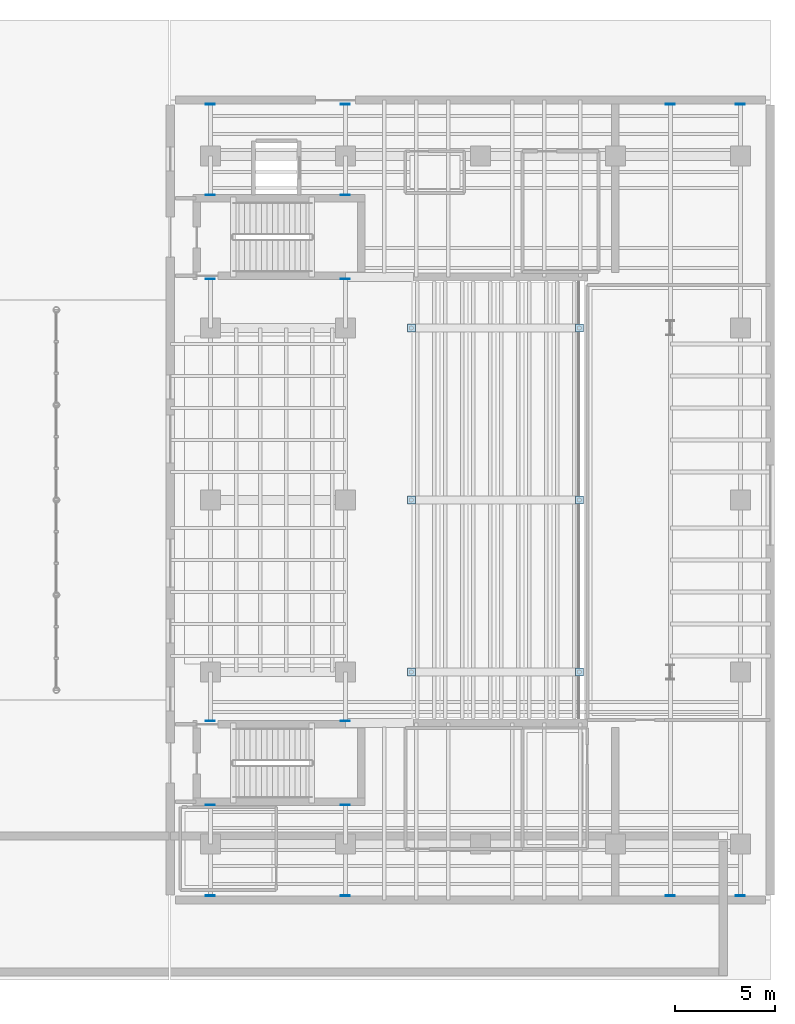
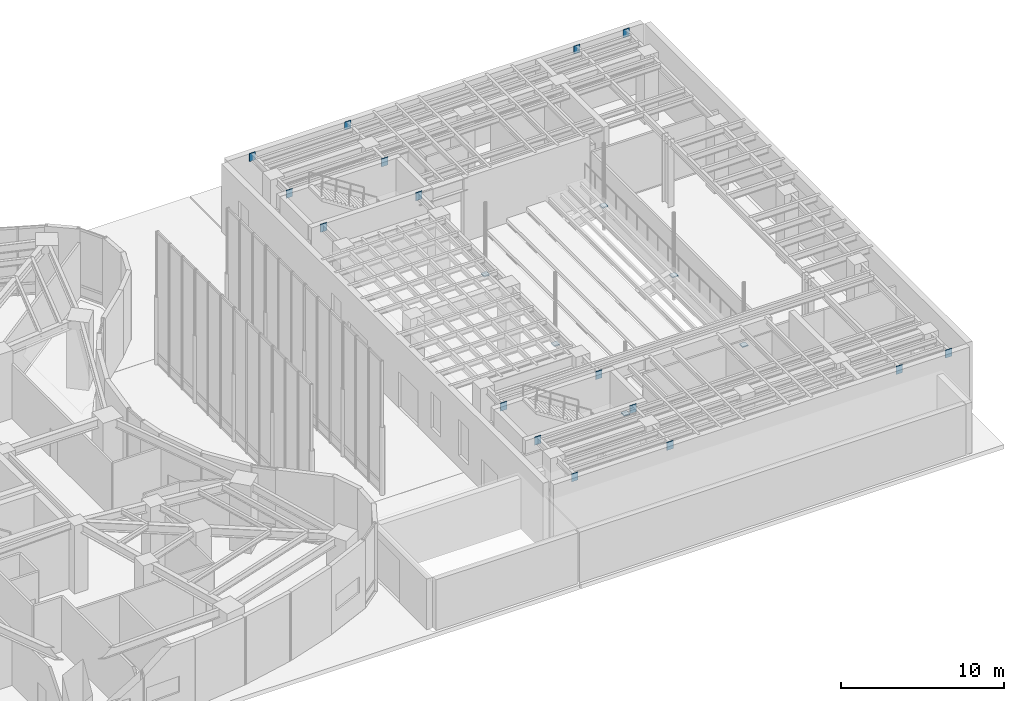
# One storey, part 16 of 28: 22 plates.
"""IFC4 building model written with IfcOpenShell, lengths in metres."""

from ifc_helpers import new_model, si_unit, direction, frame, origin, origin_2d, place, context, subcontext, project, spatial, rectangle, extrude, material, layer, layer_set, type_object, element, save


model = new_model("IFC4")

# Units and contexts
model_context = context("Model", 3, precision=1e-05, world=origin(), true_north=direction((0.0, 1.0)))
body_context = subcontext(model_context, "Body", "Model", "MODEL_VIEW")
ifc_project = project(units=[si_unit("LENGTHUNIT", "METRE"), si_unit("AREAUNIT", "SQUARE_METRE"), si_unit("VOLUMEUNIT", "CUBIC_METRE"), si_unit("PLANEANGLEUNIT", "RADIAN"), si_unit("MASSUNIT", "GRAM", prefix="KILO")], contexts=[model_context])

# Site, building, storey
site_placement = place(None, origin())
site = spatial("IfcSite", under=ifc_project, at=site_placement, CompositionType="ELEMENT")
building_placement = place(site_placement, origin())
building = spatial("IfcBuilding", under=site, at=building_placement, Name="Korentha Bioscience Tower", CompositionType="ELEMENT")
storey_placement = place(building_placement, origin())
storey = spatial("IfcBuildingStorey", under=building, at=storey_placement, Name="L00", CompositionType="ELEMENT", Elevation=0.0)

# Plates
ifc_material = material(Name="Steel S355", Category="steel")
ifc_layer_1 = layer(ifc_material, 0.0400390625, Name="Steel S355")
ifc_layer_set_1 = layer_set([ifc_layer_1], Name="Steel S355 (EP-01)")
plate_type_1 = type_object("IfcPlateType", Name="Cast-In Shear Wall Embed Plate 450x600x40", PredefinedType="USERDEFINED", material=ifc_layer_set_1)
for number, where, z_axis, x_axis, name in (
    (1, (66.5, 7.2099609375, 4.533447265625), (0.0, 0.0, 1.0), (1.0, 0.0, 0.0), "L00 Collector Shear-Wall Embed Plate A-1-1"),
    (2, (66.5, 11.75, 4.533447265625), (0.0, 0.0, 1.0), (1.0, 0.0, 0.0), "L00 Collector Shear-Wall Embed Plate B-1-2"),
    (3, (66.5, 15.949951171875, 4.533447265625), (0.0, 0.0, 1.0), (1.0, 0.0, 0.0), "L00 Collector Shear-Wall Embed Plate A-1-3"),
    (4, (66.5, 38.050048828125, 4.533447265625), (0.0, 0.0, 1.0), (1.0, 0.0, 0.0), "L00 Collector Shear-Wall Embed Plate B-1-6"),
    (5, (66.5, 42.25, 4.533447265625), (0.0, 0.0, 1.0), (1.0, 0.0, 0.0), "L00 Collector Shear-Wall Embed Plate A-1-7"),
    (6, (66.5, 46.7900390625, 4.533447265625), (0.0, 0.0, 1.0), (1.0, 0.0, 0.0), "L00 Collector Shear-Wall Embed Plate B-1-8"),
    (7, (73.25, 7.2099609375, 4.533447265625), (0.0, 0.0, 1.0), (1.0, 0.0, 0.0), "L00 Collector Shear-Wall Embed Plate A-2-1"),
    (8, (73.25, 11.75, 4.533447265625), (0.0, 0.0, 1.0), (1.0, 0.0, 0.0), "L00 Collector Shear-Wall Embed Plate B-2-2"),
    (9, (73.25, 15.949951171875, 4.533447265625), (0.0, 0.0, 1.0), (1.0, 0.0, 0.0), "L00 Collector Shear-Wall Embed Plate A-2-3"),
    (10, (73.25, 38.050048828125, 4.533447265625), (0.0, 0.0, 1.0), (1.0, 0.0, 0.0), "L00 Collector Shear-Wall Embed Plate B-2-6"),
    (11, (73.25, 42.25, 4.533447265625), (0.0, 0.0, 1.0), (1.0, 0.0, 0.0), "L00 Collector Shear-Wall Embed Plate A-2-7"),
    (12, (73.25, 46.7900390625, 4.533447265625), (0.0, 0.0, 1.0), (1.0, 0.0, 0.0), "L00 Collector Shear-Wall Embed Plate B-2-8"),
    (13, (89.5, 7.2099609375, 4.533447265625), (0.0, 0.0, 1.0), (1.0, 0.0, 0.0), "L00 Collector Shear-Wall Embed Plate A-3-1"),
    (14, (89.5, 46.7900390625, 4.533447265625), (0.0, 0.0, 1.0), (1.0, 0.0, 0.0), "L00 Collector Shear-Wall Embed Plate B-3-3"),
    (15, (93.0, 7.2099609375, 4.533447265625), (0.0, 0.0, 1.0), (1.0, 0.0, 0.0), "L00 Collector Shear-Wall Embed Plate A-4-1"),
    (16, (93.0, 46.7900390625, 4.533447265625), (0.0, 0.0, 1.0), (1.0, 0.0, 0.0), "L00 Collector Shear-Wall Embed Plate B-4-6"),
):
    element("IfcPlate", number, at=place(storey_placement, frame(where, z_axis=z_axis, x_axis=x_axis)), inside=storey, type_object=plate_type_1, Name=name, ObjectType="BASE_PLATE", PredefinedType="USERDEFINED", context=body_context, shape_type="SweptSolid", body=[
        extrude(rectangle(XDim=0.449951171875, YDim=0.0400390625, at=origin_2d()), origin(), (0.0, 0.0, 1.0), 0.60009765625),
    ])
ifc_layer_2 = layer(ifc_material, 0.080078125, Name="Steel S355")
ifc_layer_set_2 = layer_set([ifc_layer_2], Name="Steel S355 (CP-02)")
plate_type_2 = type_object("IfcPlateType", Name="Hollow Section End Cap Plate 400x400x80", PredefinedType="USERDEFINED", material=ifc_layer_set_2)
for number, where, z_axis, x_axis, name in (
    (17, (84.949951171875, 18.39990234375, 1.447021484375), (0.0, 0.0, 1.0), (1.0, 0.0, 0.0), "L00 Raker Post Cap E-18"),
    (18, (76.550048828125, 18.39990234375, -0.76513671875), (0.0, 0.0, 1.0), (1.0, 0.0, 0.0), "L00 Raker Post Cap W-18"),
    (19, (84.949951171875, 27.0, 1.447021484375), (0.0, 0.0, 1.0), (1.0, 0.0, 0.0), "L00 Raker Post Cap E-27"),
    (20, (76.550048828125, 27.0, -0.76513671875), (0.0, 0.0, 1.0), (1.0, 0.0, 0.0), "L00 Raker Post Cap W-27"),
    (21, (84.949951171875, 35.60009765625, 1.447021484375), (0.0, 0.0, 1.0), (1.0, 0.0, 0.0), "L00 Raker Post Cap E-35"),
    (22, (76.550048828125, 35.60009765625, -0.76513671875), (0.0, 0.0, 1.0), (1.0, 0.0, 0.0), "L00 Raker Post Cap W-35"),
):
    element("IfcPlate", number, at=place(storey_placement, frame(where, z_axis=z_axis, x_axis=x_axis)), inside=storey, type_object=plate_type_2, Name=name, ObjectType="CAP_PLATE", PredefinedType="USERDEFINED", context=body_context, shape_type="SweptSolid", body=[
        extrude(rectangle(XDim=0.39990234375, YDim=0.39990234375, at=origin_2d()), origin(), (0.0, 0.0, 1.0), 0.080078125),
    ])

save(model, "model.ifc")
